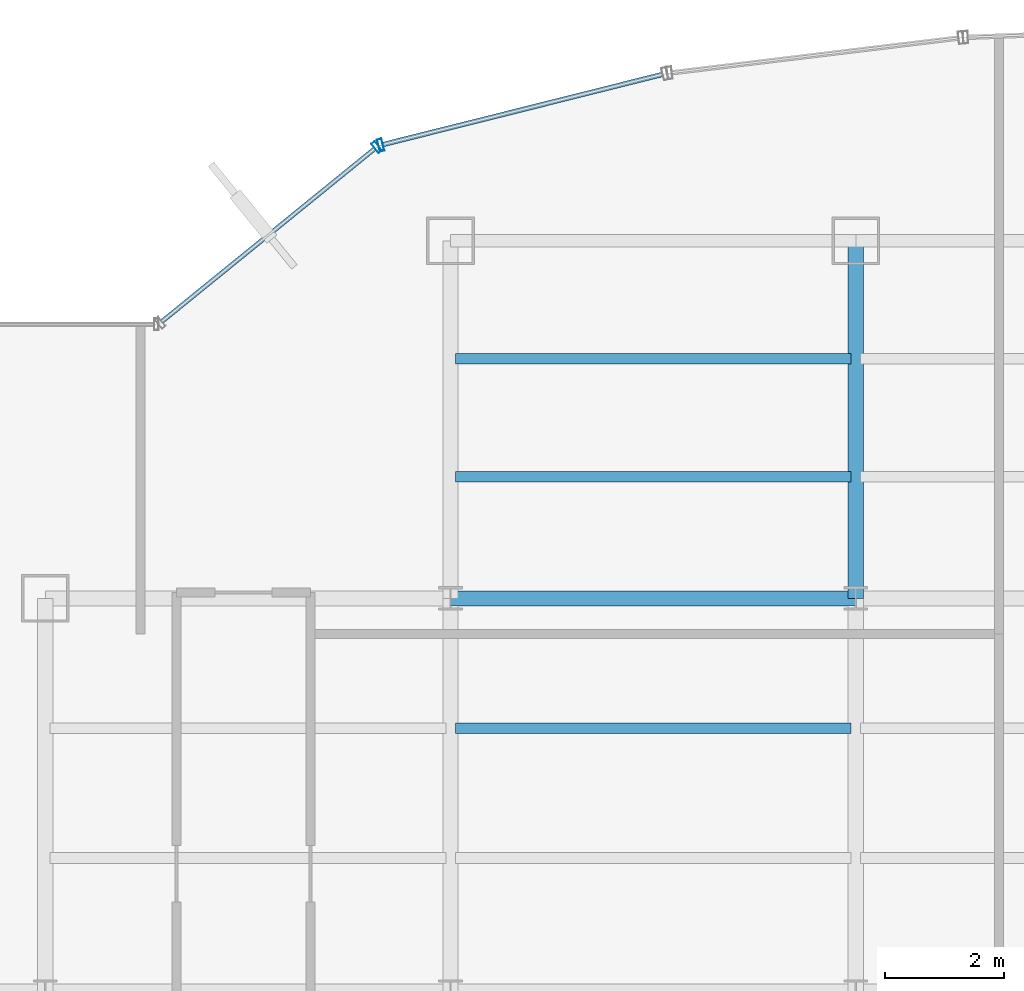
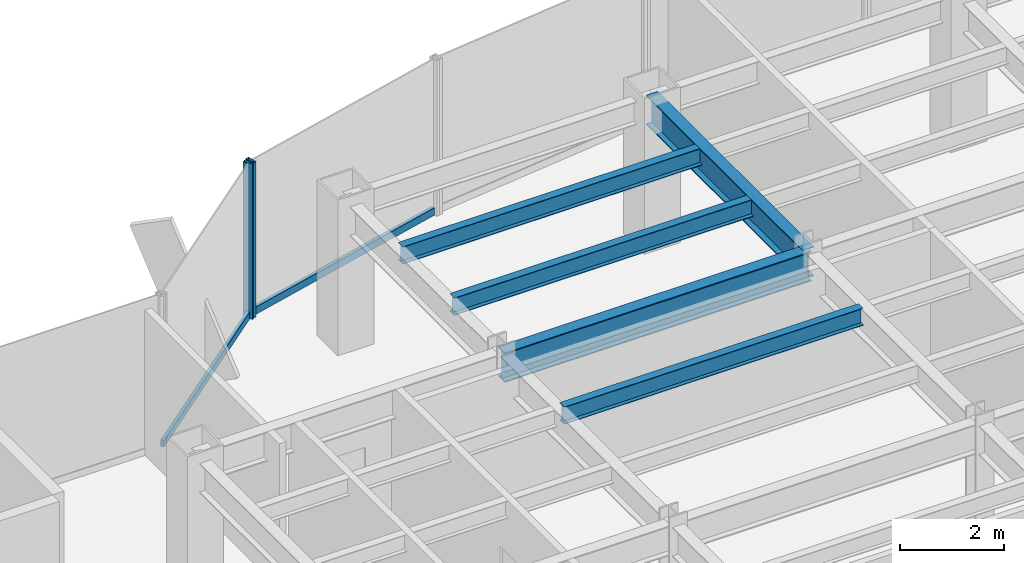
# One storey, part 14 of 26: 5 beams, 4 members, 2 elements without a shape of their own.
"""IFC4 building model written with IfcOpenShell, lengths in metres."""

from ifc_helpers import new_model, si_unit, derived_unit, direction, frame, origin, origin_2d, place, context, subcontext, project, spatial, hollow_rectangle, i_section, extrude, source, transform, mapped, material, material_profile, profile_set, type_object, element, aggregate, save


model = new_model("IFC4")

# Units and contexts
model_context = context("Model", 3, precision=1e-05, world=origin(), true_north=direction((0.0, 1.0)))
body_context = subcontext(model_context, "Body", "Model", "MODEL_VIEW")
ifc_project = project(units=[si_unit("LENGTHUNIT", "METRE"), si_unit("AREAUNIT", "SQUARE_METRE"), si_unit("VOLUMEUNIT", "CUBIC_METRE"), si_unit("PLANEANGLEUNIT", "RADIAN"), si_unit("MASSUNIT", "GRAM", prefix="KILO"), derived_unit("THERMALTRANSMITTANCEUNIT", [(si_unit("POWERUNIT", "WATT"), 1), (si_unit("LENGTHUNIT", "METRE"), -2), (si_unit("THERMODYNAMICTEMPERATUREUNIT", "KELVIN"), -1)])], contexts=[model_context])

# Site, building, storey
site_placement = place(None, origin())
site = spatial("IfcSite", under=ifc_project, at=site_placement, CompositionType="ELEMENT")
building_placement = place(site_placement, origin())
building = spatial("IfcBuilding", under=site, at=building_placement, Name="Skarnbrae Concourse Arena and Tower", CompositionType="ELEMENT")
storey_placement = place(building_placement, frame((0.0, 0.0, 106.89990234375)))
storey = spatial("IfcBuildingStorey", under=building, at=storey_placement, Name="L26", CompositionType="ELEMENT", Elevation=106.89990234375)

# Beams
ifc_material_1 = material(Name="Steel CSA G40.21 350W", Category="steel")
ifc_material_profile_1 = material_profile(ifc_material_1, i_section(OverallWidth=0.256103515625, OverallDepth=0.693115234375, WebThickness=0.014404296875, FlangeThickness=0.023681640625, at=origin_2d()), Name="W690X170")
ifc_profile_set_1 = profile_set([ifc_material_profile_1], Name="Steel CSA G40.21 350W")
beam_type_1 = type_object("IfcBeamType", Name="BM-GIRD-W690X170", PredefinedType="BEAM", material=ifc_profile_set_1)
shared_shape_1 = source(origin(), body_context, "Body", "SweptSolid", [
    extrude(i_section(OverallWidth=0.256103515625, OverallDepth=0.693115234375, WebThickness=0.014404296875, FlangeThickness=0.023681640625, at=origin_2d()), origin(), (0.0, 0.0, 1.0), 6.800048828125),
])
beam_1_placement = place(storey_placement, frame((14.39990234375, 34.39990234375, 3.0537109375), z_axis=(1.0, 0.0, 0.0), x_axis=(0.0, 1.0, 0.0)))
element("IfcBeam", 1, at=beam_1_placement, inside=storey, type_object=beam_type_1, Name="L26 Primary E-W girder Y34.4-2", PredefinedType="BEAM", context=body_context, shape_type="MappedRepresentation", body=[
    mapped(shared_shape_1, transform((0.0, 0.0, 0.0))),
])
shared_shape_2 = source(origin(), body_context, "Body", "SweptSolid", [
    extrude(i_section(OverallWidth=0.256103515625, OverallDepth=0.693115234375, WebThickness=0.014404296875, FlangeThickness=0.023681640625, at=origin_2d()), origin(), (0.0, 0.0, 1.0), 6.0),
])
beam_2_placement = place(storey_placement, frame((21.199951171875, 34.39990234375, 3.0537109375), z_axis=(0.0, 1.0, 0.0), x_axis=(-1.0, 0.0, 0.0)))
element("IfcBeam", 2, at=beam_2_placement, inside=storey, type_object=beam_type_1, Name="L26 Primary N-S girder X21.2-4", PredefinedType="BEAM", context=body_context, shape_type="MappedRepresentation", body=[
    mapped(shared_shape_2, transform((0.0, 0.0, 0.0))),
])
ifc_material_profile_2 = material_profile(ifc_material_1, i_section(OverallWidth=0.177978515625, OverallDepth=0.406982421875, WebThickness=0.0078125, FlangeThickness=0.0126953125, at=origin_2d()), Name="W410X60")
ifc_profile_set_2 = profile_set([ifc_material_profile_2], Name="Steel CSA G40.21 350W")
beam_type_2 = type_object("IfcBeamType", Name="BM-JOIST-W410X60", PredefinedType="JOIST", material=ifc_profile_set_2)
shared_shape_3 = source(origin(), body_context, "Body", "SweptSolid", [
    extrude(i_section(OverallWidth=0.177978515625, OverallDepth=0.406982421875, WebThickness=0.0078125, FlangeThickness=0.0126953125, at=origin_2d()), origin(), (0.0, 0.0, 1.0), 6.64013671875),
])
for number, where, z_axis, x_axis, name in (
    (3, (14.47998046875, 32.221923828125, 3.196533203125), (1.0, 0.0, 0.0), (0.0, 1.0, 0.0), "L26 Secondary floor joist 3.2.2"),
    (4, (14.47998046875, 36.43994140625, 3.196533203125), (1.0, 0.0, 0.0), (0.0, 1.0, 0.0), "L26 Secondary floor joist 4.1.1"),
    (5, (14.47998046875, 38.419921875, 3.196533203125), (1.0, 0.0, 0.0), (0.0, 1.0, 0.0), "L26 Secondary floor joist 4.2.1"),
):
    element("IfcBeam", number, at=place(storey_placement, frame(where, z_axis=z_axis, x_axis=x_axis)), inside=storey, type_object=beam_type_2, Name=name, PredefinedType="JOIST", context=body_context, shape_type="MappedRepresentation", body=[
        mapped(shared_shape_3, transform((0.0, 0.0, 0.0))),
    ])

# Curtain wall, member
ifc_material_2 = material(Name="Bronze anodised aluminium 6063-T6", Category="aluminium")
curtain_wall_type_1 = type_object("IfcCurtainWallType", Name="CW-SYS-03-PORTAL", PredefinedType="USERDEFINED", material=ifc_material_2)
curtain_wall_1_placement = place(storey_placement, origin())
curtain_wall_1 = element("IfcCurtainWall", 6, at=curtain_wall_1_placement, inside=storey, type_object=curtain_wall_type_1, Name="L26 Unitised curtain wall CW-L26-E14", ObjectType="UNITISED CURTAIN WALL", PredefinedType="USERDEFINED")
ifc_material_profile_3 = material_profile(ifc_material_2, hollow_rectangle(XDim=0.080078125, YDim=0.2099609375, WallThickness=0.00439453125, at=origin_2d()), Name="ALU-MULL-80X210")
ifc_profile_set_3 = profile_set([ifc_material_profile_3], Name="Bronze anodised aluminium 6063-T6")
member_type_1 = type_object("IfcMemberType", Name="CWM-CW-03", PredefinedType="MULLION", material=ifc_profile_set_3)
shared_shape_4 = source(origin(), body_context, "Body", "SweptSolid", [
    extrude(hollow_rectangle(XDim=0.080078125, YDim=0.2099609375, WallThickness=0.00439453125, at=origin_2d()), origin(), (0.0, 0.0, 1.0), 3.650146484375),
])
member_1_placement = place(storey_placement, frame((13.227783203125, 42.005615234375, 0.0), z_axis=(0.0, 0.0, 1.0), x_axis=(-0.969903046166, -0.243491439351, 0.0)))
member_1 = element("IfcMember", 7, at=member_1_placement, type_object=member_type_1, Name="CW-L26-E14 Mullion 2", PredefinedType="MULLION", context=body_context, shape_type="MappedRepresentation", body=[
    mapped(shared_shape_4, transform((0.0, 0.0, 0.0))),
])

# Curtain wall, members
curtain_wall_type_2 = type_object("IfcCurtainWallType", Name="CW-SYS-04-MIDZONE", PredefinedType="USERDEFINED", material=ifc_material_2)
curtain_wall_2_placement = place(storey_placement, origin())
curtain_wall_2 = element("IfcCurtainWall", 8, at=curtain_wall_2_placement, inside=storey, type_object=curtain_wall_type_2, Name="L26 Unitised curtain wall CW-L26-E15", ObjectType="UNITISED CURTAIN WALL", PredefinedType="USERDEFINED")
ifc_material_profile_4 = material_profile(ifc_material_2, hollow_rectangle(XDim=0.074951171875, YDim=0.195068359375, WallThickness=0.00439453125, at=origin_2d()), Name="ALU-MULL-75X195")
ifc_profile_set_4 = profile_set([ifc_material_profile_4], Name="Bronze anodised aluminium 6063-T6")
member_type_2 = type_object("IfcMemberType", Name="CWM-CW-04", PredefinedType="MULLION", material=ifc_profile_set_4)
shared_shape_5 = source(origin(), body_context, "Body", "SweptSolid", [
    extrude(hollow_rectangle(XDim=0.074951171875, YDim=0.195068359375, WallThickness=0.00439453125, at=origin_2d()), origin(), (0.0, 0.0, 1.0), 3.650146484375),
])
member_2_placement = place(storey_placement, frame((13.159912109375, 41.972412109375, 0.0), z_axis=(0.0, 0.0, 1.0), x_axis=(-0.776241200471, -0.630436038542, 0.0)))
member_2 = element("IfcMember", 9, at=member_2_placement, type_object=member_type_2, Name="CW-L26-E15 Mullion 1", PredefinedType="MULLION", context=body_context, shape_type="MappedRepresentation", body=[
    mapped(shared_shape_5, transform((0.0, 0.0, 0.0))),
])
ifc_material_profile_5 = material_profile(ifc_material_2, hollow_rectangle(XDim=0.074951171875, YDim=0.159912109375, WallThickness=0.00439453125, at=origin_2d()), Name="ALU-TRAN-75X160")
ifc_profile_set_5 = profile_set([ifc_material_profile_5], Name="Bronze anodised aluminium 6063-T6")
member_type_3 = type_object("IfcMemberType", Name="CWT-CW-04", PredefinedType="USERDEFINED", material=ifc_profile_set_5)
shared_shape_6 = source(origin(), body_context, "Body", "SweptSolid", [
    extrude(hollow_rectangle(XDim=0.074951171875, YDim=0.159912109375, WallThickness=0.00439453125, at=origin_2d()), origin(), (0.0, 0.0, 1.0), 4.602294921875),
])
member_3_placement = place(storey_placement, frame((13.130615234375, 41.94873046875, 0.080078125), z_axis=(-0.776251906445, -0.630422856297, 0.0), x_axis=(0.630422856297, -0.776251906445, 0.0)))
member_3 = element("IfcMember", 10, at=member_3_placement, type_object=member_type_3, Name="CW-L26-E15 Transom 1", ObjectType="TRANSOM", PredefinedType="USERDEFINED", context=body_context, shape_type="MappedRepresentation", body=[
    mapped(shared_shape_6, transform((0.0, 0.0, 0.0))),
])
aggregate(curtain_wall_2, [member_2, member_3])

# Member
ifc_material_profile_6 = material_profile(ifc_material_2, hollow_rectangle(XDim=0.080078125, YDim=0.169921875, WallThickness=0.00439453125, at=origin_2d()), Name="ALU-TRAN-80X170")
ifc_profile_set_6 = profile_set([ifc_material_profile_6], Name="Bronze anodised aluminium 6063-T6")
member_type_4 = type_object("IfcMemberType", Name="CWT-CW-03", PredefinedType="USERDEFINED", material=ifc_profile_set_6)
shared_shape_7 = source(origin(), body_context, "Body", "SweptSolid", [
    extrude(hollow_rectangle(XDim=0.080078125, YDim=0.169921875, WallThickness=0.00439453125, at=origin_2d()), origin(), (0.0, 0.0, 1.0), 4.837158203125),
])
member_4_placement = place(storey_placement, frame((17.958251953125, 43.193359375, 0.085205078125), z_axis=(-0.969895583622, -0.243521163084, 0.0), x_axis=(0.243521163084, -0.969895583622, 0.0)))
member_4 = element("IfcMember", 11, at=member_4_placement, type_object=member_type_4, Name="CW-L26-E14 Transom 1", ObjectType="TRANSOM", PredefinedType="USERDEFINED", context=body_context, shape_type="MappedRepresentation", body=[
    mapped(shared_shape_7, transform((0.0, 0.0, 0.0))),
])

aggregate(curtain_wall_1, [member_1, member_4])

save(model, "model.ifc")
